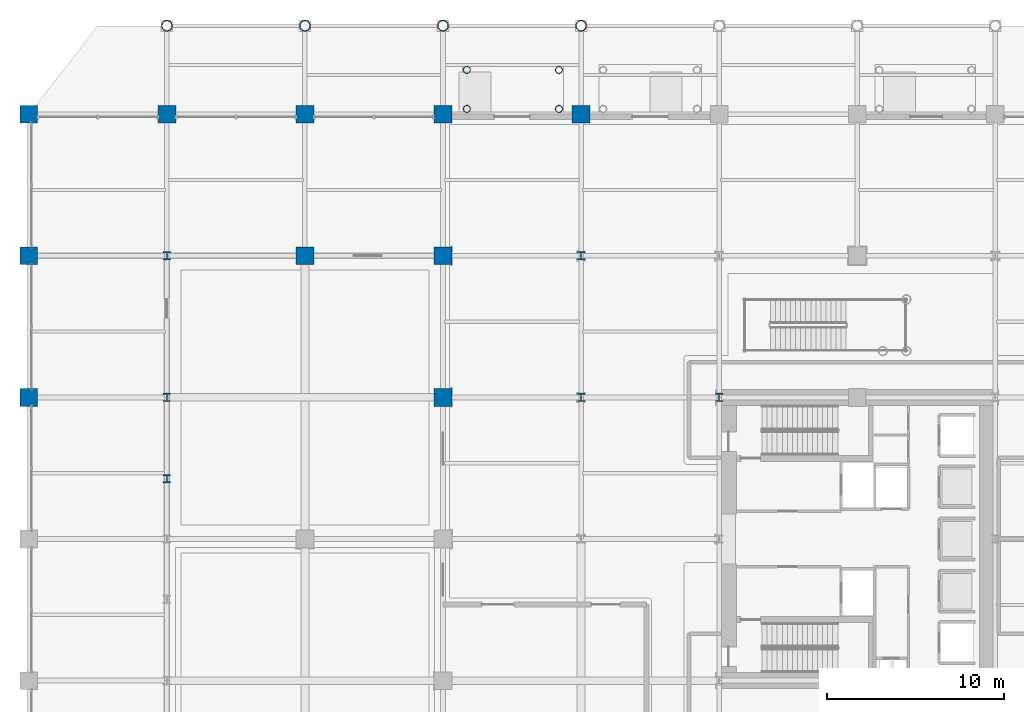
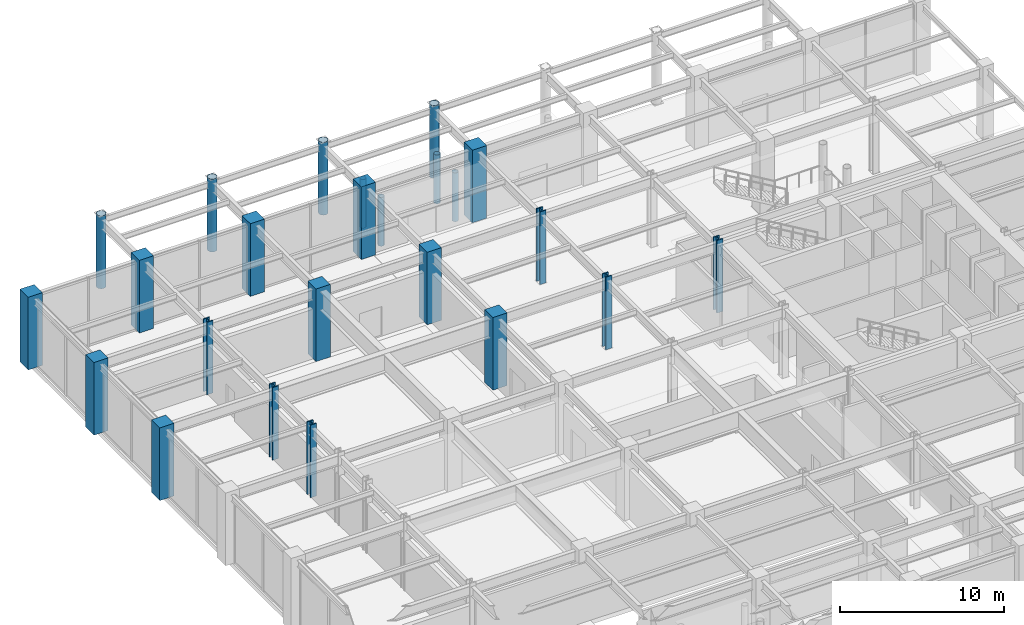
# One storey, part 4 of 27: 24 columns.
"""IFC4 building model written with IfcOpenShell, lengths in metres."""

from ifc_helpers import new_model, si_unit, direction, frame, origin, origin_2d, place, context, subcontext, project, spatial, rectangle, hollow_circle, i_section, extrude, material, material_profile, profile_set, type_object, element, save


model = new_model("IFC4")

# Units and contexts
model_context = context("Model", 3, precision=1e-05, world=origin(), true_north=direction((0.0, 1.0)))
body_context = subcontext(model_context, "Body", "Model", "MODEL_VIEW")
ifc_project = project(units=[si_unit("LENGTHUNIT", "METRE"), si_unit("AREAUNIT", "SQUARE_METRE"), si_unit("VOLUMEUNIT", "CUBIC_METRE"), si_unit("PLANEANGLEUNIT", "RADIAN"), si_unit("MASSUNIT", "GRAM", prefix="KILO")], contexts=[model_context])

# Site, building, storey
site_placement = place(None, origin())
site = spatial("IfcSite", under=ifc_project, at=site_placement, CompositionType="ELEMENT")
building_placement = place(site_placement, origin())
building = spatial("IfcBuilding", under=site, at=building_placement, Name="Veymaron Broadcast Tower", CompositionType="ELEMENT")
storey_placement = place(building_placement, origin())
storey = spatial("IfcBuildingStorey", under=building, at=storey_placement, Name="L00", CompositionType="ELEMENT", Elevation=0.0)

# Columns
ifc_material_1 = material(Name="Structural steel ASTM A913 Gr 65", Category="steel")
ifc_material_profile_1 = material_profile(ifc_material_1, i_section(OverallWidth=0.424072265625, OverallDepth=0.47412109375, WebThickness=0.047607421875, FlangeThickness=0.076904296875, at=origin_2d()), Name="W360X634")
ifc_profile_set_1 = profile_set([ifc_material_profile_1], Name="Structural steel ASTM A913 Gr 65")
column_type_1 = type_object("IfcColumnType", Name="COL-MC1", PredefinedType="COLUMN", material=ifc_profile_set_1)
for number, where, z_axis, x_axis, name in (
    (1, (7.800048828125, 32.0, 0.0), (0.0, 0.0, 1.0), (1.0, 0.0, 0.0), "L00 column (7.8, 32.0)"),
    (2, (7.800048828125, 40.0, 0.0), (0.0, 0.0, 1.0), (1.0, 0.0, 0.0), "L00 column (7.8, 40.0)"),
    (3, (31.199951171875, 32.0, 0.0), (0.0, 0.0, 1.0), (1.0, 0.0, 0.0), "L00 column (31.2, 32.0)"),
    (4, (31.199951171875, 40.0, 0.0), (0.0, 0.0, 1.0), (1.0, 0.0, 0.0), "L00 column (31.2, 40.0)"),
    (5, (39.0, 32.0, 0.0), (0.0, 0.0, 1.0), (1.0, 0.0, 0.0), "L00 column (39.0, 32.0)"),
):
    element("IfcColumn", number, at=place(storey_placement, frame(where, z_axis=z_axis, x_axis=x_axis)), inside=storey, type_object=column_type_1, Name=name, PredefinedType="COLUMN", context=body_context, shape_type="SweptSolid", body=[
        extrude(i_section(OverallWidth=0.424072265625, OverallDepth=0.47412109375, WebThickness=0.047607421875, FlangeThickness=0.076904296875, at=origin_2d()), origin(), (0.0, 0.0, 1.0), 5.39501953125),
    ])
column_placement = place(storey_placement, frame((7.800048828125, 27.39990234375, 0.0), z_axis=(0.0, 0.0, 1.0), x_axis=(1.0, 0.0, 0.0)))
element("IfcColumn", 6, at=column_placement, inside=storey, type_object=column_type_1, Name="L00 Mega Column podium base", PredefinedType="COLUMN", context=body_context, shape_type="SweptSolid", body=[
    extrude(i_section(OverallWidth=0.424072265625, OverallDepth=0.47412109375, WebThickness=0.047607421875, FlangeThickness=0.076904296875, at=origin_2d()), origin(), (0.0, 0.0, 1.0), 5.39404296875),
])
ifc_material_2 = material(Name="Structural steel ASTM A992 Gr 50", Category="steel")
ifc_material_profile_2 = material_profile(ifc_material_2, hollow_circle(Radius=0.304931640625, WallThickness=0.02490234375, at=origin_2d()), Name="CHS610X25")
ifc_profile_set_2 = profile_set([ifc_material_profile_2], Name="Structural steel ASTM A992 Gr 50")
column_type_2 = type_object("IfcColumnType", Name="COL-PL1", PredefinedType="COLUMN", material=ifc_profile_set_2)
for number, where, z_axis, x_axis, name in (
    (7, (7.800048828125, 53.0, 0.0), (0.0, 0.0, 1.0), (1.0, 0.0, 0.0), "L00 column (7.8, 53.0)"),
    (8, (15.60009765625, 53.0, 0.0), (0.0, 0.0, 1.0), (1.0, 0.0, 0.0), "L00 column (15.6, 53.0)"),
    (9, (23.39990234375, 53.0, 0.0), (0.0, 0.0, 1.0), (1.0, 0.0, 0.0), "L00 column (23.4, 53.0)"),
    (10, (31.199951171875, 53.0, 0.0), (0.0, 0.0, 1.0), (1.0, 0.0, 0.0), "L00 column (31.2, 53.0)"),
):
    element("IfcColumn", number, at=place(storey_placement, frame(where, z_axis=z_axis, x_axis=x_axis)), inside=storey, type_object=column_type_2, Name=name, PredefinedType="COLUMN", context=body_context, shape_type="SweptSolid", body=[
        extrude(hollow_circle(Radius=0.304931640625, WallThickness=0.02490234375, at=origin_2d()), origin(), (0.0, 0.0, 1.0), 5.39501953125),
    ])
ifc_material_profile_3 = material_profile(ifc_material_2, hollow_circle(Radius=0.202880859375, WallThickness=0.01611328125, at=origin_2d()), Name="CHS406X16")
ifc_profile_set_3 = profile_set([ifc_material_profile_3], Name="Structural steel ASTM A992 Gr 50")
column_type_3 = type_object("IfcColumnType", Name="COL-PL3", PredefinedType="PILASTER", material=ifc_profile_set_3)
for number, where, z_axis, x_axis, name in (
    (11, (24.75, 50.5, 0.0), (0.0, 0.0, 1.0), (1.0, 0.0, 0.0), "Waterfront entrance canopy A support post 1"),
    (12, (29.949951171875, 50.5, 0.0), (0.0, 0.0, 1.0), (1.0, 0.0, 0.0), "Waterfront entrance canopy A support post 2"),
    (13, (24.75, 48.300048828125, 0.0), (0.0, 0.0, 1.0), (1.0, 0.0, 0.0), "Waterfront entrance canopy A support post 3"),
    (14, (29.949951171875, 48.300048828125, 0.0), (0.0, 0.0, 1.0), (1.0, 0.0, 0.0), "Waterfront entrance canopy A support post 4"),
):
    element("IfcColumn", number, at=place(storey_placement, frame(where, z_axis=z_axis, x_axis=x_axis)), inside=storey, type_object=column_type_3, Name=name, PredefinedType="PILASTER", context=body_context, shape_type="SweptSolid", body=[
        extrude(hollow_circle(Radius=0.202880859375, WallThickness=0.01611328125, at=origin_2d()), origin(), (0.0, 0.0, 1.0), 3.6201171875),
    ])
ifc_material_3 = material(Name="Concrete C60/75", Category="concrete")
ifc_material_profile_4 = material_profile(ifc_material_3, rectangle(XDim=1.0, YDim=1.0, at=origin_2d()), Name="RC1000X1000")
ifc_profile_set_4 = profile_set([ifc_material_profile_4], Name="Concrete C60/75")
column_type_4 = type_object("IfcColumnType", Name="COL-RC3", PredefinedType="COLUMN", material=ifc_profile_set_4)
for number, where, z_axis, x_axis, name in (
    (15, (0.0, 32.0, 0.0), (0.0, 0.0, 1.0), (1.0, 0.0, 0.0), "L00 column (0.0, 32.0)"),
    (16, (0.0, 40.0, 0.0), (0.0, 0.0, 1.0), (1.0, 0.0, 0.0), "L00 column (0.0, 40.0)"),
    (17, (0.0, 48.0, 0.0), (0.0, 0.0, 1.0), (1.0, 0.0, 0.0), "L00 column (0.0, 48.0)"),
    (18, (7.800048828125, 48.0, 0.0), (0.0, 0.0, 1.0), (1.0, 0.0, 0.0), "L00 column (7.8, 48.0)"),
    (19, (15.60009765625, 40.0, 0.0), (0.0, 0.0, 1.0), (1.0, 0.0, 0.0), "L00 column (15.6, 40.0)"),
    (20, (15.60009765625, 48.0, 0.0), (0.0, 0.0, 1.0), (1.0, 0.0, 0.0), "L00 column (15.6, 48.0)"),
    (21, (23.39990234375, 32.0, 0.0), (0.0, 0.0, 1.0), (1.0, 0.0, 0.0), "L00 column (23.4, 32.0)"),
    (22, (23.39990234375, 40.0, 0.0), (0.0, 0.0, 1.0), (1.0, 0.0, 0.0), "L00 column (23.4, 40.0)"),
    (23, (23.39990234375, 48.0, 0.0), (0.0, 0.0, 1.0), (1.0, 0.0, 0.0), "L00 column (23.4, 48.0)"),
    (24, (31.199951171875, 48.0, 0.0), (0.0, 0.0, 1.0), (1.0, 0.0, 0.0), "L00 column (31.2, 48.0)"),
):
    element("IfcColumn", number, at=place(storey_placement, frame(where, z_axis=z_axis, x_axis=x_axis)), inside=storey, type_object=column_type_4, Name=name, PredefinedType="COLUMN", context=body_context, shape_type="SweptSolid", body=[
        extrude(rectangle(XDim=1.0, YDim=1.0, at=origin_2d()), origin(), (0.0, 0.0, 1.0), 5.39501953125),
    ])

save(model, "model.ifc")
